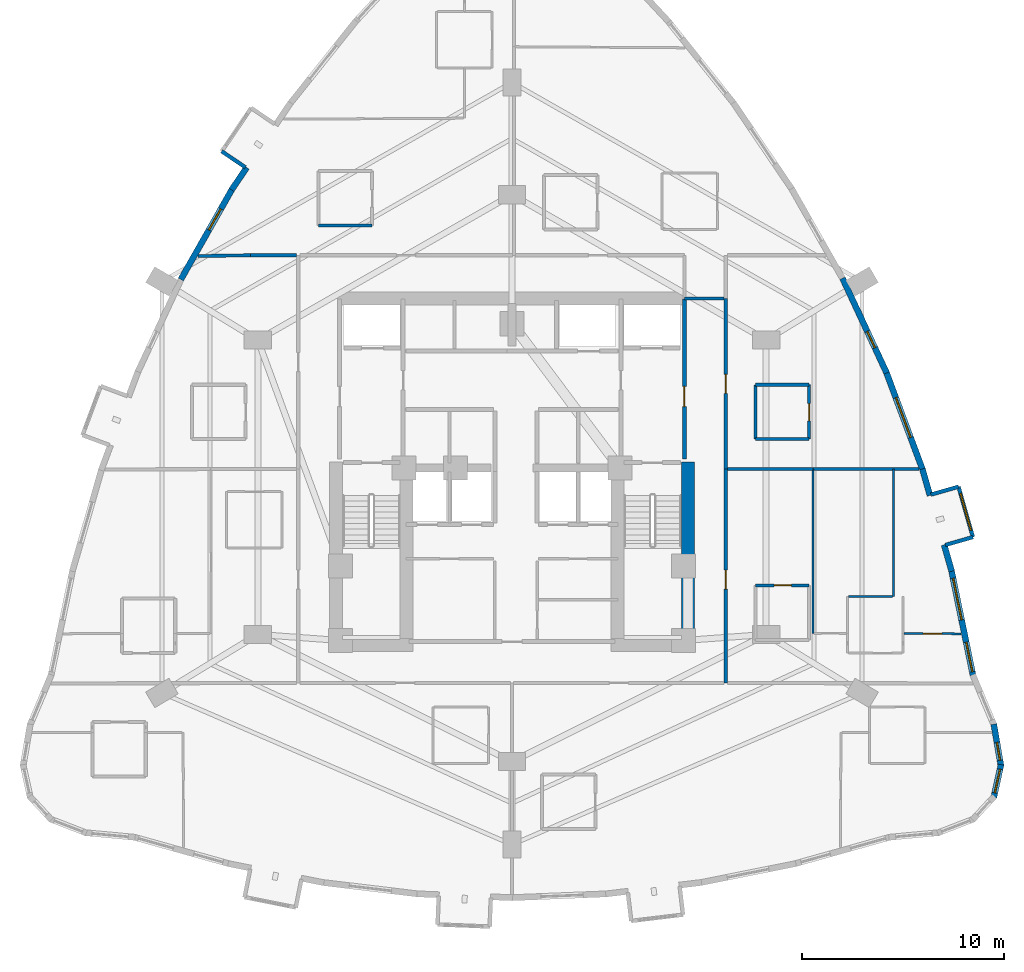
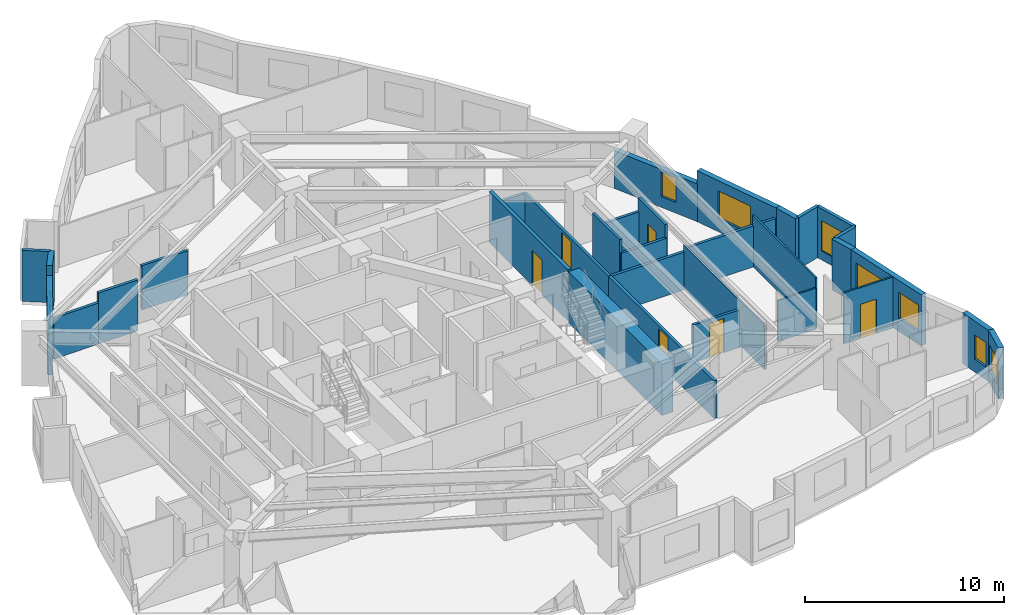
# One storey, part 10 of 13: 32 walls, 8 windows, 6 doors, 14 openings.
"""IFC4 building model written with IfcOpenShell, lengths in metres."""

import ifcopenshell
import ifcopenshell.guid

model = None  # the IFC model being written
_history = None  # IfcOwnerHistory: only IFC2X3 demands one
_inside = {}  # id of a spatial element -> (the spatial element, [elements in it])
_under = {}  # id of a project, library or spatial element -> (it, [spatial elements below it])
_declared = {}  # id of a project -> (the project, [libraries it declares])
_typed = {}  # id of a type object -> (the type object, [elements of that type])
_made_of = {}  # id of a material, layer set ... -> (it, [elements and type objects made of it])


def new_model(schema):
    """Start an empty IFC model of exactly this schema.

    Asked for "IFC4X3", IfcOpenShell would pick the latest addendum, in which some entities
    have other attributes; the version numbers below select the first issue.
    IFC2X3 requires an IfcOwnerHistory on every rooted entity: one is made here for all.
    """
    global model, _history
    if schema == "IFC4X3":
        model = ifcopenshell.file(schema_version=(4, 3, 0, 0))
    else:
        model = ifcopenshell.file(schema=schema)
    _inside.clear()
    _under.clear()
    _declared.clear()
    _typed.clear()
    _made_of.clear()
    _history = None
    if model.schema == "IFC2X3":
        org = make("IfcOrganization", Name="unknown")
        user = make(
            "IfcPersonAndOrganization",
            ThePerson=make("IfcPerson", FamilyName="unknown"),
            TheOrganization=org,
        )
        app = make(
            "IfcApplication",
            ApplicationDeveloper=org,
            Version="unknown",
            ApplicationFullName="unknown",
            ApplicationIdentifier="unknown",
        )
        _history = make(
            "IfcOwnerHistory",
            OwningUser=user,
            OwningApplication=app,
            ChangeAction="ADDED",
            CreationDate=0,
        )
    return model


def make(cls, **values):
    """One entity of the class cls with the attributes given. An attribute that is None is left unset."""
    return model.create_entity(
        cls, **{name: value for name, value in values.items() if value is not None}
    )


def rooted(cls, **values):
    """An entity with a GlobalId (a new one), such as an element, a storey or a relation."""
    return make(cls, GlobalId=ifcopenshell.guid.new(), OwnerHistory=_history, **values)


def si_unit(unit_type, name, prefix=None):
    """IfcSIUnit, for example si_unit("LENGTHUNIT", "METRE", prefix="MILLI")."""
    return make("IfcSIUnit", UnitType=unit_type, Prefix=prefix, Name=name)


def assignment(units):
    """IfcUnitAssignment: the units of a project."""
    return None if units is None else make("IfcUnitAssignment", Units=units)


def point(xyz):
    """IfcCartesianPoint."""
    return None if xyz is None else make("IfcCartesianPoint", Coordinates=xyz)


def direction(xyz):
    """IfcDirection."""
    return None if xyz is None else make("IfcDirection", DirectionRatios=xyz)


def frame(location, z_axis=None, x_axis=None):
    """IfcAxis2Placement3D, a coordinate frame: its origin and axes. An axis left out is left unset."""
    return make(
        "IfcAxis2Placement3D",
        Location=point(location),
        Axis=direction(z_axis),
        RefDirection=direction(x_axis),
    )


def frame_2d(location, x_axis=None):
    """IfcAxis2Placement2D, a coordinate frame in the plane: its origin and x axis."""
    return make(
        "IfcAxis2Placement2D", Location=point(location), RefDirection=direction(x_axis)
    )


def origin():
    """The frame at (0, 0, 0) with its axes left unset."""
    return frame((0.0, 0.0, 0.0))


def place(relative_to, where):
    """IfcLocalPlacement: puts the frame where relative to a parent placement (None: the world)."""
    return make(
        "IfcLocalPlacement", PlacementRelTo=relative_to, RelativePlacement=where
    )


def context(
    kind, dimensions, precision=None, world=None, true_north=None, identifier=None
):
    """IfcGeometricRepresentationContext, for example the 3D "Model" context."""
    return make(
        "IfcGeometricRepresentationContext",
        ContextIdentifier=identifier,
        ContextType=kind,
        CoordinateSpaceDimension=dimensions,
        Precision=precision,
        WorldCoordinateSystem=world,
        TrueNorth=true_north,
    )


def subcontext(parent, identifier, kind, view, scale=None):
    """IfcGeometricRepresentationSubContext, for example "Body" below "Model"."""
    return make(
        "IfcGeometricRepresentationSubContext",
        ContextIdentifier=identifier,
        ContextType=kind,
        ParentContext=parent,
        TargetScale=scale,
        TargetView=view,
    )


def project(units=None, contexts=None):
    """IfcProject with its units and contexts."""
    return rooted(
        "IfcProject",
        Name="project",
        RepresentationContexts=contexts,
        UnitsInContext=assignment(units),
    )


def spatial(cls, under=None, at=None, **own):
    """A site, building, storey or space (cls), placed at a placement, below another one or the project."""
    s = rooted(cls, ObjectPlacement=at, **own)
    if under is not None:
        _under.setdefault(under.id(), (under, []))[1].append(s)
    return s


def profile(cls, at=None, kind="AREA", **sizes):
    """A parametric profile (cls). Its sizes go by their IFC names, for example OverallWidth=200.0."""
    return make(cls, ProfileType=kind, Position=at, **sizes)


def rectangle(**sizes):
    """IfcRectangleProfileDef."""
    return profile("IfcRectangleProfileDef", **sizes)


def extrude(swept, where, along, depth):
    """IfcExtrudedAreaSolid: the profile swept, set in the frame where, extruded along a direction by depth."""
    return make(
        "IfcExtrudedAreaSolid",
        SweptArea=swept,
        Position=where,
        ExtrudedDirection=direction(along),
        Depth=depth,
    )


def shape(context_of_items, identifier, shape_type, items):
    """IfcShapeRepresentation: the items that make up one representation, for example the "Body"."""
    return make(
        "IfcShapeRepresentation",
        ContextOfItems=context_of_items,
        RepresentationIdentifier=identifier,
        RepresentationType=shape_type,
        Items=items,
    )


def material(Name=None, Category=None):
    """IfcMaterial."""
    return make("IfcMaterial", Name=Name, Category=Category)


def layer(
    of_material, thickness, ventilated=None, Name=None, Category=None, Priority=None
):
    """IfcMaterialLayer: one layer of a wall or slab, of a material (None: an air gap)."""
    return make(
        "IfcMaterialLayer",
        Material=of_material,
        LayerThickness=thickness,
        IsVentilated=ventilated,
        Name=Name,
        Category=Category,
        Priority=Priority,
    )


def layer_set(layers, Name=None):
    """IfcMaterialLayerSet."""
    return make("IfcMaterialLayerSet", MaterialLayers=layers, LayerSetName=Name)


def made_of(thing, what):
    """Note that an element or type object is made of a material, layer set ...; save() writes the relation."""
    if what is not None:
        _made_of.setdefault(what.id(), (what, []))[1].append(thing)
    return thing


def type_object(cls, material=None, **own):
    """A type object (cls), such as IfcWallType, which elements share."""
    return made_of(rooted(cls, **own), material)


def element(
    cls,
    number,
    at=None,
    inside=None,
    cuts=None,
    type_object=None,
    material=None,
    context=None,
    identifier="Body",
    shape_type=None,
    held_by="IfcProductDefinitionShape",
    body=None,
    shapes=None,
    **own,
):
    """One element of the class cls, such as IfcWall. Its Tag is "e" and its number.

    at: its placement. inside: the storey or other place that contains it. cuts: it is an
    opening in that element (IfcRelVoidsElement). A single representation is given by context,
    identifier, shape_type and body (its items); several are given by shapes. held_by: the class
    of the entity that holds the representations. save() writes the other relations.
    """
    e = rooted(cls, Tag="e%d" % number, ObjectPlacement=at, **own)
    if body is not None:
        shapes = [shape(context, identifier, shape_type, body)]
    if shapes is not None:
        e.Representation = make(held_by, Representations=shapes)
    if inside is not None:
        _inside.setdefault(inside.id(), (inside, []))[1].append(e)
    if cuts is not None:
        rooted(
            "IfcRelVoidsElement", RelatingBuildingElement=cuts, RelatedOpeningElement=e
        )
    if type_object is not None:
        _typed.setdefault(type_object.id(), (type_object, []))[1].append(e)
    return made_of(e, material)


def fill(opening, filler):
    """IfcRelFillsElement: the door or window that sits in an opening."""
    return rooted(
        "IfcRelFillsElement",
        RelatingOpeningElement=opening,
        RelatedBuildingElement=filler,
    )


def aggregate(whole, parts):
    """IfcRelAggregates: a whole, such as a stair, and the parts it consists of."""
    return rooted("IfcRelAggregates", RelatingObject=whole, RelatedObjects=parts)


def save(model, path):
    """Write the relations noted so far, then the file.

    IfcRelAggregates (storeys below a building ...), IfcRelContainedInSpatialStructure (elements
    in a storey), IfcRelDefinesByType, IfcRelAssociatesMaterial and IfcRelDeclares: one each for
    every whole, place, type object, material and project.
    """
    for whole, parts in _under.values():
        aggregate(whole, parts)
    for where, things in _inside.values():
        rooted(
            "IfcRelContainedInSpatialStructure",
            RelatedElements=things,
            RelatingStructure=where,
        )
    for kind, things in _typed.values():
        rooted("IfcRelDefinesByType", RelatedObjects=things, RelatingType=kind)
    for what, things in _made_of.values():
        rooted("IfcRelAssociatesMaterial", RelatedObjects=things, RelatingMaterial=what)
    for by, libraries in _declared.values():
        rooted("IfcRelDeclares", RelatingContext=by, RelatedDefinitions=libraries)
    model.write(path)


model = new_model("IFC4")

# Units and contexts
model_context = context("Model", 3, precision=1e-05, world=origin(), true_north=direction((0.0, 1.0)))
body_context = subcontext(model_context, "Body", "Model", "MODEL_VIEW")
ifc_project = project(units=[si_unit("LENGTHUNIT", "METRE"), si_unit("AREAUNIT", "SQUARE_METRE"), si_unit("VOLUMEUNIT", "CUBIC_METRE"), si_unit("PLANEANGLEUNIT", "RADIAN"), si_unit("MASSUNIT", "GRAM", prefix="KILO")], contexts=[model_context])

# Site, building, storey
site_placement = place(None, origin())
site = spatial("IfcSite", under=ifc_project, at=site_placement, CompositionType="ELEMENT")
building_placement = place(site_placement, origin())
building = spatial("IfcBuilding", under=site, at=building_placement, Name="Miruveldt Soraemaru", CompositionType="ELEMENT")
storey_placement = place(building_placement, frame((0.0, 0.0, 73.39990234375)))
storey = spatial("IfcBuildingStorey", under=building, at=storey_placement, Name="L20", CompositionType="ELEMENT", Elevation=73.39990234375)

# Walls
ifc_material_1 = material(Name="White powder-coated aluminium EN AW-6060 T6", Category="aluminium")
ifc_layer_1 = layer(ifc_material_1, 0.18994140625, Name="White powder-coated aluminium EN AW-6060 T6", Category="aluminium")
ifc_layer_set_1 = layer_set([ifc_layer_1], Name="White powder-coated aluminium EN AW-6060 T6")
wall_type_1 = type_object("IfcWallType", Name="WALL-BAY-ALU190", PredefinedType="SOLIDWALL", material=ifc_layer_set_1)
for number, where, z_axis, x_axis, name in (
    (1, (29.60595703125, 59.754638671875, 0.0), (0.0, 0.0, 1.0), (0.82794178844, -0.560814046681, 0.0), "L20 Bay Window Side Cheek 1R"),
    (2, (65.483642578125, 40.23486328125, 0.0), (0.0, 0.0, 1.0), (0.961439844578, 0.275015318223, 0.0), "L20 Bay Window Side Cheek 6L"),
    (3, (66.138671875, 43.12646484375, 0.0), (0.0, 0.0, 1.0), (-0.961439844578, -0.275015318223, 0.0), "L20 Bay Window Side Cheek 6R"),
):
    element("IfcWall", number, at=place(storey_placement, frame(where, z_axis=z_axis, x_axis=x_axis)), inside=storey, type_object=wall_type_1, Name=name, PredefinedType="SOLIDWALL", context=body_context, shape_type="SweptSolid", body=[
        extrude(rectangle(XDim=1.4248046875, YDim=0.18994140625, at=frame_2d((0.71240234375, 0.0))), origin(), (0.0, 0.0, 1.0), 3.125),
    ])

# Wall, opening, window
wall_1_placement = place(storey_placement, frame((66.853515625, 40.626708984375, 0.0), z_axis=(0.0, 0.0, 1.0), x_axis=(-0.274944358644, 0.961460139397, 0.0)))
wall_1 = element("IfcWall", 4, at=wall_1_placement, inside=storey, type_object=wall_type_1, Name="L20 Bay Window Front Frame 6", PredefinedType="SOLIDWALL", context=body_context, shape_type="SweptSolid", body=[
    extrude(rectangle(XDim=2.599853515625, YDim=0.18994140625, at=frame_2d((1.2998046875, 0.0))), origin(), (0.0, 0.0, 1.0), 3.125),
])
opening_1_placement = place(wall_1_placement, frame((0.35009765625, 0.0, 0.550048828125)))
opening_1 = element("IfcOpeningElement", 5, at=opening_1_placement, cuts=wall_1, Name="Opening WN-6", PredefinedType="OPENING", context=body_context, shape_type="SweptSolid", body=[
    extrude(rectangle(XDim=1.89990234375, YDim=1.85009765625, at=frame_2d((0.949951171875, 0.925048828125))), frame((0.0, 0.10498046875, 0.0), z_axis=(0.0, -1.0, 0.0), x_axis=(1.0, 0.0, 0.0)), (0.0, 0.0, 1.0), 0.2099609375),
])
ifc_material_2 = material(Name="Triple low-e insulated glazing", Category="glass")
window_type_1 = type_object("IfcWindowType", Name="WIN-BAYW-1900x1850", PartitioningType="SINGLE_PANEL", PredefinedType="WINDOW", material=ifc_material_2)
window_1_placement = place(opening_1_placement, origin())
window_1 = element("IfcWindow", 6, at=window_1_placement, inside=storey, type_object=window_type_1, Name="L20 Projecting Bay Window 6", OverallHeight=1.85009765625, OverallWidth=1.89990234375, PartitioningType="SINGLE_PANEL", PredefinedType="WINDOW", context=body_context, shape_type="SweptSolid", body=[
    extrude(rectangle(XDim=1.89990234375, YDim=1.85009765625, at=frame_2d((0.949951171875, 0.925048828125))), frame((0.0, 0.030029296875, 0.0), z_axis=(0.0, -1.0, 0.0), x_axis=(1.0, 0.0, 0.0)), (0.0, 0.0, 1.0), 0.06005859375),
])
fill(opening_1, window_1)

# Walls
ifc_material_3 = material(Name="Concrete C80/95 (80 MPa)", Category="concrete")
ifc_layer_2 = layer(ifc_material_3, 0.64990234375, Name="Concrete C80/95 (80 MPa)", Category="concrete")
ifc_layer_set_2 = layer_set([ifc_layer_2], Name="Concrete C80/95 (80 MPa)")
wall_type_2 = type_object("IfcWallType", Name="WALL-CW-650", PredefinedType="SHEAR", material=ifc_layer_set_2)
wall_2_placement = place(storey_placement, frame((52.72509765625, 34.949951171875, 0.0), z_axis=(0.0, 0.0, 1.0), x_axis=(0.0, 1.0, 0.0)))
element("IfcWall", 7, at=wall_2_placement, inside=storey, type_object=wall_type_2, Name="L20 Central Core Shear Wall E1", PredefinedType="SHEAR", context=body_context, shape_type="SweptSolid", body=[
    extrude(rectangle(XDim=9.400146484375, YDim=0.64990234375, at=frame_2d((4.7001953125, 0.0))), origin(), (0.0, 0.0, 1.0), 3.125),
])
ifc_material_4 = material(Name="Precast concrete C45/55 (45 MPa)", Category="concrete")
ifc_layer_3 = layer(ifc_material_4, 0.300048828125, Name="Precast concrete C45/55 (45 MPa)", Category="concrete")
ifc_layer_set_3 = layer_set([ifc_layer_3], Name="Precast concrete C45/55 (45 MPa)")
wall_type_3 = type_object("IfcWallType", Name="WALL-EXT-PC300", PredefinedType="SOLIDWALL", material=ifc_layer_set_3)
wall_3_placement = place(storey_placement, frame((30.847900390625, 58.949462890625, 0.0), z_axis=(0.0, 0.0, 1.0), x_axis=(-0.56075525003, -0.827981611852, 0.0)))
element("IfcWall", 8, at=wall_3_placement, inside=storey, type_object=wall_type_3, Name="L20 Precast Pier Wall 9B", PredefinedType="SOLIDWALL", context=body_context, shape_type="SweptSolid", body=[
    extrude(rectangle(XDim=1.336669921875, YDim=0.300048828125, at=frame_2d((0.66845703125, 0.0))), origin(), (0.0, 0.0, 1.0), 3.125),
])

# Wall, opening, window
wall_4_placement = place(storey_placement, frame((30.13525390625, 57.902099609375, 0.0), z_axis=(0.0, 0.0, 1.0), x_axis=(-0.493385870501, -0.869810544193, 0.0)))
wall_4 = element("IfcWall", 9, at=wall_4_placement, inside=storey, type_object=wall_type_3, Name="L20 Precast Concrete Facade Wall 10", PredefinedType="SOLIDWALL", context=body_context, shape_type="SweptSolid", body=[
    extrude(rectangle(XDim=5.180908203125, YDim=0.300048828125, at=frame_2d((2.59033203125, 0.0))), origin(), (0.0, 0.0, 1.0), 2.51318359375),
])
opening_2_placement = place(wall_4_placement, frame((1.155029296875, 0.0, 0.780029296875)))
opening_2 = element("IfcOpeningElement", 10, at=opening_2_placement, cuts=wall_4, Name="Opening WN-4", PredefinedType="OPENING", context=body_context, shape_type="SweptSolid", body=[
    extrude(rectangle(XDim=1.199951171875, YDim=1.550048828125, at=frame_2d((0.60009765625, 0.77490234375))), frame((0.0, 0.16015625, 0.0), z_axis=(0.0, -1.0, 0.0), x_axis=(1.0, 0.0, 0.0)), (0.0, 0.0, 1.0), 0.320068359375),
])
window_type_2 = type_object("IfcWindowType", Name="WIN-PUNCH-1200x1550", PartitioningType="SINGLE_PANEL", PredefinedType="WINDOW", material=ifc_material_2)
window_2_placement = place(opening_2_placement, origin())
window_2 = element("IfcWindow", 11, at=window_2_placement, inside=storey, type_object=window_type_2, Name="L20 Punched Triple-Glazed Window 10.1", OverallHeight=1.550048828125, OverallWidth=1.199951171875, PartitioningType="SINGLE_PANEL", PredefinedType="WINDOW", context=body_context, shape_type="SweptSolid", body=[
    extrude(rectangle(XDim=1.199951171875, YDim=1.550048828125, at=frame_2d((0.60009765625, 0.77490234375))), frame((0.0, 0.030029296875, 0.0), z_axis=(0.0, -1.0, 0.0), x_axis=(1.0, 0.0, 0.0)), (0.0, 0.0, 1.0), 0.06005859375),
])
fill(opening_2, window_2)

wall_5_placement = place(storey_placement, frame((67.88525390625, 27.7158203125, 0.0), z_axis=(0.0, 0.0, 1.0), x_axis=(0.215768638569, 0.976444516913, 0.0)))
wall_5 = element("IfcWall", 12, at=wall_5_placement, inside=storey, type_object=wall_type_3, Name="L20 Precast Concrete Facade Wall 32", PredefinedType="SOLIDWALL", context=body_context, shape_type="SweptSolid", body=[
    extrude(rectangle(XDim=1.6689453125, YDim=0.300048828125, at=frame_2d((0.83447265625, 0.0))), origin(), (0.0, 0.0, 1.0), 3.125),
])
opening_3_placement = place(wall_5_placement, frame((0.235107421875, 0.0, 0.780029296875)))
opening_3 = element("IfcOpeningElement", 13, at=opening_3_placement, cuts=wall_5, Name="Opening WN-4", PredefinedType="OPENING", context=body_context, shape_type="SweptSolid", body=[
    extrude(rectangle(XDim=1.199951171875, YDim=1.550048828125, at=frame_2d((0.60009765625, 0.77490234375))), frame((0.0, 0.16015625, 0.0), z_axis=(0.0, -1.0, 0.0), x_axis=(1.0, 0.0, 0.0)), (0.0, 0.0, 1.0), 0.320068359375),
])
window_3_placement = place(opening_3_placement, origin())
window_3 = element("IfcWindow", 14, at=window_3_placement, inside=storey, type_object=window_type_2, Name="L20 Punched Triple-Glazed Window 32.1", OverallHeight=1.550048828125, OverallWidth=1.199951171875, PartitioningType="SINGLE_PANEL", PredefinedType="WINDOW", context=body_context, shape_type="SweptSolid", body=[
    extrude(rectangle(XDim=1.199951171875, YDim=1.550048828125, at=frame_2d((0.60009765625, 0.77490234375))), frame((0.0, 0.030029296875, 0.0), z_axis=(0.0, -1.0, 0.0), x_axis=(1.0, 0.0, 0.0)), (0.0, 0.0, 1.0), 0.06005859375),
])
fill(opening_3, window_3)

wall_6_placement = place(storey_placement, frame((68.24365234375, 29.276611328125, 0.0), z_axis=(0.0, 0.0, 1.0), x_axis=(-0.169320859901, 0.98556098056, 0.0)))
wall_6 = element("IfcWall", 15, at=wall_6_placement, inside=storey, type_object=wall_type_3, Name="L20 Precast Concrete Facade Wall 33", PredefinedType="SOLIDWALL", context=body_context, shape_type="SweptSolid", body=[
    extrude(rectangle(XDim=2.106689453125, YDim=0.300048828125, at=frame_2d((1.05322265625, 0.0))), origin(), (0.0, 0.0, 1.0), 3.125),
])
opening_4_placement = place(wall_6_placement, frame((0.285888671875, 0.0, 0.780029296875)))
opening_4 = element("IfcOpeningElement", 16, at=opening_4_placement, cuts=wall_6, Name="Opening WN-7", PredefinedType="OPENING", context=body_context, shape_type="SweptSolid", body=[
    extrude(rectangle(XDim=0.89990234375, YDim=1.5, at=frame_2d((0.449951171875, 0.75))), frame((0.0, 0.16015625, 0.0), z_axis=(0.0, -1.0, 0.0), x_axis=(1.0, 0.0, 0.0)), (0.0, 0.0, 1.0), 0.320068359375),
])
window_type_3 = type_object("IfcWindowType", Name="WIN-PUNCH-900x1500", PartitioningType="SINGLE_PANEL", PredefinedType="WINDOW", material=ifc_material_2)
window_4_placement = place(opening_4_placement, origin())
window_4 = element("IfcWindow", 17, at=window_4_placement, inside=storey, type_object=window_type_3, Name="L20 Punched Triple-Glazed Window 33.1", OverallHeight=1.5, OverallWidth=0.89990234375, PartitioningType="SINGLE_PANEL", PredefinedType="WINDOW", context=body_context, shape_type="SweptSolid", body=[
    extrude(rectangle(XDim=0.89990234375, YDim=1.5, at=frame_2d((0.449951171875, 0.75))), frame((0.0, 0.030029296875, 0.0), z_axis=(0.0, -1.0, 0.0), x_axis=(1.0, 0.0, 0.0)), (0.0, 0.0, 1.0), 0.06005859375),
])
fill(opening_4, window_4)

# Wall, openings, windows
wall_7_placement = place(storey_placement, frame((66.865234375, 33.737060546875, 0.0), z_axis=(0.0, 0.0, 1.0), x_axis=(-0.201547797841, 0.979478680312, 0.0)))
wall_7 = element("IfcWall", 18, at=wall_7_placement, inside=storey, type_object=wall_type_3, Name="L20 Precast Concrete Facade Wall 35", PredefinedType="SOLIDWALL", context=body_context, shape_type="SweptSolid", body=[
    extrude(rectangle(XDim=5.37353515625, YDim=0.300048828125, at=frame_2d((2.686767578125, 0.0))), origin(), (0.0, 0.0, 1.0), 3.125),
])
opening_5_placement = place(wall_7_placement, frame((0.217041015625, 0.0, 0.800048828125)))
opening_5 = element("IfcOpeningElement", 19, at=opening_5_placement, cuts=wall_7, Name="Opening WN-3", PredefinedType="OPENING", context=body_context, shape_type="SweptSolid", body=[
    extrude(rectangle(XDim=1.5, YDim=1.60009765625, at=frame_2d((0.75, 0.800048828125))), frame((0.0, 0.16015625, 0.0), z_axis=(0.0, -1.0, 0.0), x_axis=(1.0, 0.0, 0.0)), (0.0, 0.0, 1.0), 0.320068359375),
])
opening_6_placement = place(wall_7_placement, frame((2.843017578125, 0.0, 0.800048828125)))
opening_6 = element("IfcOpeningElement", 20, at=opening_6_placement, cuts=wall_7, Name="Opening WN-1", PredefinedType="OPENING", context=body_context, shape_type="SweptSolid", body=[
    extrude(rectangle(XDim=2.10009765625, YDim=1.699951171875, at=frame_2d((1.050048828125, 0.85009765625))), frame((0.0, 0.16015625, 0.0), z_axis=(0.0, -1.0, 0.0), x_axis=(1.0, 0.0, 0.0)), (0.0, 0.0, 1.0), 0.320068359375),
])
window_type_4 = type_object("IfcWindowType", Name="WIN-PUNCH-1500x1600", PartitioningType="SINGLE_PANEL", PredefinedType="WINDOW", material=ifc_material_2)
window_5_placement = place(opening_5_placement, origin())
window_5 = element("IfcWindow", 21, at=window_5_placement, inside=storey, type_object=window_type_4, Name="L20 Punched Triple-Glazed Window 35.1", OverallHeight=1.60009765625, OverallWidth=1.5, PartitioningType="SINGLE_PANEL", PredefinedType="WINDOW", context=body_context, shape_type="SweptSolid", body=[
    extrude(rectangle(XDim=1.5, YDim=1.60009765625, at=frame_2d((0.75, 0.800048828125))), frame((0.0, 0.030029296875, 0.0), z_axis=(0.0, -1.0, 0.0), x_axis=(1.0, 0.0, 0.0)), (0.0, 0.0, 1.0), 0.06005859375),
])
fill(opening_5, window_5)
window_type_5 = type_object("IfcWindowType", Name="WIN-PUNCH-2100x1700", PartitioningType="SINGLE_PANEL", PredefinedType="WINDOW", material=ifc_material_2)
window_6_placement = place(opening_6_placement, origin())
window_6 = element("IfcWindow", 22, at=window_6_placement, inside=storey, type_object=window_type_5, Name="L20 Punched Triple-Glazed Window 35.2", OverallHeight=1.699951171875, OverallWidth=2.10009765625, PartitioningType="SINGLE_PANEL", PredefinedType="WINDOW", context=body_context, shape_type="SweptSolid", body=[
    extrude(rectangle(XDim=2.10009765625, YDim=1.699951171875, at=frame_2d((1.050048828125, 0.85009765625))), frame((0.0, 0.030029296875, 0.0), z_axis=(0.0, -1.0, 0.0), x_axis=(1.0, 0.0, 0.0)), (0.0, 0.0, 1.0), 0.06005859375),
])
fill(opening_6, window_6)

# Walls
wall_8_placement = place(storey_placement, frame((65.798828125, 38.93212890625, 0.0), z_axis=(0.0, 0.0, 1.0), x_axis=(-0.27479178242, 0.961503757826, 0.0)))
element("IfcWall", 23, at=wall_8_placement, inside=storey, type_object=wall_type_3, Name="L20 Precast Pier Wall 36A", PredefinedType="SOLIDWALL", context=body_context, shape_type="SweptSolid", body=[
    extrude(rectangle(XDim=1.369140625, YDim=0.300048828125, at=frame_2d((0.6845703125, 0.0))), origin(), (0.0, 0.0, 1.0), 3.125),
])
wall_9_placement = place(storey_placement, frame((64.72412109375, 42.690673828125, 0.0), z_axis=(0.0, 0.0, 1.0), x_axis=(-0.275003771692, 0.961443147334, 0.0)))
element("IfcWall", 24, at=wall_9_placement, inside=storey, type_object=wall_type_3, Name="L20 Precast Pier Wall 36B", PredefinedType="SOLIDWALL", context=body_context, shape_type="SweptSolid", body=[
    extrude(rectangle(XDim=1.368896484375, YDim=0.300048828125, at=frame_2d((0.6845703125, 0.0))), origin(), (0.0, 0.0, 1.0), 3.125),
])

# Wall, opening, window
wall_10_placement = place(storey_placement, frame((64.369384765625, 43.9404296875, 0.0), z_axis=(0.0, 0.0, 1.0), x_axis=(-0.349023551545, 0.937113952765, 0.0)))
wall_10 = element("IfcWall", 25, at=wall_10_placement, inside=storey, type_object=wall_type_3, Name="L20 Precast Concrete Facade Wall 37", PredefinedType="SOLIDWALL", context=body_context, shape_type="SweptSolid", body=[
    extrude(rectangle(XDim=5.21337890625, YDim=0.300048828125, at=frame_2d((2.606689453125, 0.0))), origin(), (0.0, 0.0, 1.0), 3.125),
])
opening_7_placement = place(wall_10_placement, frame((1.739013671875, 0.0, 0.800048828125)))
opening_7 = element("IfcOpeningElement", 26, at=opening_7_placement, cuts=wall_10, Name="Opening WN-1", PredefinedType="OPENING", context=body_context, shape_type="SweptSolid", body=[
    extrude(rectangle(XDim=2.10009765625, YDim=1.699951171875, at=frame_2d((1.050048828125, 0.85009765625))), frame((0.0, 0.16015625, 0.0), z_axis=(0.0, -1.0, 0.0), x_axis=(1.0, 0.0, 0.0)), (0.0, 0.0, 1.0), 0.320068359375),
])
window_7_placement = place(opening_7_placement, origin())
window_7 = element("IfcWindow", 27, at=window_7_placement, inside=storey, type_object=window_type_5, Name="L20 Punched Triple-Glazed Window 37.1", OverallHeight=1.699951171875, OverallWidth=2.10009765625, PartitioningType="SINGLE_PANEL", PredefinedType="WINDOW", context=body_context, shape_type="SweptSolid", body=[
    extrude(rectangle(XDim=2.10009765625, YDim=1.699951171875, at=frame_2d((1.050048828125, 0.85009765625))), frame((0.0, 0.030029296875, 0.0), z_axis=(0.0, -1.0, 0.0), x_axis=(1.0, 0.0, 0.0)), (0.0, 0.0, 1.0), 0.06005859375),
])
fill(opening_7, window_7)

wall_11_placement = place(storey_placement, frame((62.57666015625, 48.761474609375, 0.0), z_axis=(0.0, 0.0, 1.0), x_axis=(-0.422273967053, 0.906468254684, 0.0)))
wall_11 = element("IfcWall", 28, at=wall_11_placement, inside=storey, type_object=wall_type_3, Name="L20 Precast Concrete Facade Wall 38", PredefinedType="SOLIDWALL", context=body_context, shape_type="SweptSolid", body=[
    extrude(rectangle(XDim=5.180908203125, YDim=0.300048828125, at=frame_2d((2.59033203125, 0.0))), origin(), (0.0, 0.0, 1.0), 2.31298828125),
])
opening_8_placement = place(wall_11_placement, frame((1.3798828125, 0.0, 0.653076171875)))
opening_8 = element("IfcOpeningElement", 29, at=opening_8_placement, cuts=wall_11, Name="Opening WN-7", PredefinedType="OPENING", context=body_context, shape_type="SweptSolid", body=[
    extrude(rectangle(XDim=0.89990234375, YDim=1.5, at=frame_2d((0.449951171875, 0.75))), frame((0.0, 0.16015625, 0.0), z_axis=(0.0, -1.0, 0.0), x_axis=(1.0, 0.0, 0.0)), (0.0, 0.0, 1.0), 0.320068359375),
])
window_8_placement = place(opening_8_placement, origin())
window_8 = element("IfcWindow", 30, at=window_8_placement, inside=storey, type_object=window_type_3, Name="L20 Punched Triple-Glazed Window 38.1", OverallHeight=1.5, OverallWidth=0.89990234375, PartitioningType="SINGLE_PANEL", PredefinedType="WINDOW", context=body_context, shape_type="SweptSolid", body=[
    extrude(rectangle(XDim=0.89990234375, YDim=1.5, at=frame_2d((0.449951171875, 0.75))), frame((0.0, 0.030029296875, 0.0), z_axis=(0.0, -1.0, 0.0), x_axis=(1.0, 0.0, 0.0)), (0.0, 0.0, 1.0), 0.06005859375),
])
fill(opening_8, window_8)

# Wall, opening, door
ifc_material_5 = material(Name="Gypsum plasterboard lining", Category="gypsum")
ifc_layer_4 = layer(ifc_material_5, 0.10009765625, Name="Gypsum plasterboard lining", Category="gypsum")
ifc_layer_set_4 = layer_set([ifc_layer_4], Name="Gypsum plasterboard lining")
wall_type_4 = type_object("IfcWallType", Name="WALL-INT-P100", PredefinedType="PARTITIONING", material=ifc_layer_set_4)
wall_12_placement = place(storey_placement, frame((66.26611328125, 35.8330078125, 0.0), z_axis=(0.0, 0.0, 1.0), x_axis=(-0.999981846253, 0.006025542673, 0.0)))
wall_12 = element("IfcWall", 31, at=wall_12_placement, inside=storey, type_object=wall_type_4, Name="L20 Partition Wall 69", PredefinedType="PARTITIONING", context=body_context, shape_type="SweptSolid", body=[
    extrude(rectangle(XDim=2.836181640625, YDim=0.10009765625, at=frame_2d((1.41796875, 0.0))), origin(), (0.0, 0.0, 1.0), 3.125),
])
opening_9_placement = place(wall_12_placement, frame((0.9580078125, 0.0, 0.0)))
opening_9 = element("IfcOpeningElement", 32, at=opening_9_placement, cuts=wall_12, Name="Opening D3A", PredefinedType="OPENING", context=body_context, shape_type="SweptSolid", body=[
    extrude(rectangle(XDim=0.919921875, YDim=2.10009765625, at=frame_2d((0.4599609375, 1.050048828125))), frame((0.0, 0.06005859375, 0.0), z_axis=(0.0, -1.0, 0.0), x_axis=(1.0, 0.0, 0.0)), (0.0, 0.0, 1.0), 0.1201171875),
])
ifc_material_6 = material(Name="Anodised aluminium EN AW-6063 T6", Category="aluminium")
door_type_1 = type_object("IfcDoorType", Name="DOOR-INT-920", OperationType="NOTDEFINED", PredefinedType="DOOR", material=ifc_material_6)
door_1_placement = place(opening_9_placement, origin())
door_1 = element("IfcDoor", 33, at=door_1_placement, inside=storey, type_object=door_type_1, Name="L20 Unit 2005 EXT Door", OperationType="SINGLE_SWING_LEFT", OverallHeight=2.10009765625, OverallWidth=0.919921875, PredefinedType="DOOR", context=body_context, shape_type="SweptSolid", body=[
    extrude(rectangle(XDim=0.919921875, YDim=2.10009765625, at=frame_2d((0.4599609375, 1.050048828125))), frame((0.0, 0.02490234375, 0.0), z_axis=(0.0, -1.0, 0.0), x_axis=(1.0, 0.0, 0.0)), (0.0, 0.0, 1.0), 0.050048828125),
])
fill(opening_9, door_1)

# Walls
wall_13_placement = place(storey_placement, frame((58.9150390625, 35.85009765625, 0.0), z_axis=(0.0, 0.0, 1.0), x_axis=(0.0, 1.0, 0.0)))
element("IfcWall", 34, at=wall_13_placement, inside=storey, type_object=wall_type_4, Name="L20 Partition Wall 109", PredefinedType="PARTITIONING", context=body_context, shape_type="SweptSolid", body=[
    extrude(rectangle(XDim=8.14990234375, YDim=0.10009765625, at=frame_2d((4.074951171875, 0.0))), origin(), (0.0, 0.0, 1.0), 2.713134765625),
])
wall_14_placement = place(storey_placement, frame((62.9208984375, 37.679931640625, 0.0), z_axis=(0.0, 0.0, 1.0), x_axis=(0.0, 1.0, 0.0)))
element("IfcWall", 35, at=wall_14_placement, inside=storey, type_object=wall_type_4, Name="L20 Partition Wall 76", PredefinedType="PARTITIONING", context=body_context, shape_type="SweptSolid", body=[
    extrude(rectangle(XDim=6.320068359375, YDim=0.10009765625, at=frame_2d((3.16015625, 0.0))), origin(), (0.0, 0.0, 1.0), 3.125),
])
wall_15_placement = place(storey_placement, frame((62.87109375, 37.679931640625, 0.0), z_axis=(0.0, 0.0, 1.0), x_axis=(-1.0, 0.0, 0.0)))
element("IfcWall", 36, at=wall_15_placement, inside=storey, type_object=wall_type_4, Name="L20 Partition Wall 72", PredefinedType="PARTITIONING", context=body_context, shape_type="SweptSolid", body=[
    extrude(rectangle(XDim=2.191162109375, YDim=0.10009765625, at=frame_2d((1.095703125, 0.0))), origin(), (0.0, 0.0, 1.0), 2.51318359375),
])

# Wall, opening, door
ifc_layer_5 = layer(ifc_material_5, 0.14990234375, Name="Gypsum plasterboard lining", Category="gypsum")
ifc_layer_set_5 = layer_set([ifc_layer_5], Name="Gypsum plasterboard lining")
wall_type_5 = type_object("IfcWallType", Name="WALL-INT-PLUMB", PredefinedType="PLUMBINGWALL", material=ifc_layer_set_5)
wall_16_placement = place(storey_placement, frame((58.72998046875, 45.47998046875, 0.0), z_axis=(0.0, 0.0, 1.0), x_axis=(0.0, 1.0, 0.0)))
wall_16 = element("IfcWall", 37, at=wall_16_placement, inside=storey, type_object=wall_type_5, Name="L20 Partition Wall 78", PredefinedType="PLUMBINGWALL", context=body_context, shape_type="SweptSolid", body=[
    extrude(rectangle(XDim=2.699951171875, YDim=0.14990234375, at=frame_2d((1.35009765625, 0.0))), origin(), (0.0, 0.0, 1.0), 3.125),
])
opening_10_placement = place(wall_16_placement, frame((0.909912109375, 0.0, 0.0)))
opening_10 = element("IfcOpeningElement", 38, at=opening_10_placement, cuts=wall_16, Name="Opening FD3", PredefinedType="OPENING", context=body_context, shape_type="SweptSolid", body=[
    extrude(rectangle(XDim=0.85009765625, YDim=2.10009765625, at=frame_2d((0.425048828125, 1.050048828125))), frame((0.0, 0.0849609375, 0.0), z_axis=(0.0, -1.0, 0.0), x_axis=(1.0, 0.0, 0.0)), (0.0, 0.0, 1.0), 0.169921875),
])
door_type_2 = type_object("IfcDoorType", Name="DOOR-FD3-850", OperationType="NOTDEFINED", PredefinedType="DOOR", material=ifc_material_6)
door_2_placement = place(opening_10_placement, origin())
door_2 = element("IfcDoor", 39, at=door_2_placement, inside=storey, type_object=door_type_2, Name="L20 Unit CL06 BTH Door", OperationType="SINGLE_SWING_LEFT", OverallHeight=2.10009765625, OverallWidth=0.85009765625, PredefinedType="DOOR", context=body_context, shape_type="SweptSolid", body=[
    extrude(rectangle(XDim=0.85009765625, YDim=2.10009765625, at=frame_2d((0.425048828125, 1.050048828125))), frame((0.0, 0.02490234375, 0.0), z_axis=(0.0, -1.0, 0.0), x_axis=(1.0, 0.0, 0.0)), (0.0, 0.0, 1.0), 0.050048828125),
])
fill(opening_10, door_2)

wall_17_placement = place(storey_placement, frame((58.72998046875, 38.22998046875, 0.0), z_axis=(0.0, 0.0, 1.0), x_axis=(-1.0, 0.0, 0.0)))
wall_17 = element("IfcWall", 40, at=wall_17_placement, inside=storey, type_object=wall_type_5, Name="L20 Partition Wall 62", PredefinedType="PLUMBINGWALL", context=body_context, shape_type="SweptSolid", body=[
    extrude(rectangle(XDim=2.64990234375, YDim=0.14990234375, at=frame_2d((1.324951171875, 0.0))), origin(), (0.0, 0.0, 1.0), 2.31298828125),
])
opening_11_placement = place(wall_17_placement, frame((0.885009765625, 0.0, 0.0)))
opening_11 = element("IfcOpeningElement", 41, at=opening_11_placement, cuts=wall_17, Name="Opening FD3", PredefinedType="OPENING", context=body_context, shape_type="SweptSolid", body=[
    extrude(rectangle(XDim=0.85009765625, YDim=2.10009765625, at=frame_2d((0.425048828125, 1.050048828125))), frame((0.0, 0.0849609375, 0.0), z_axis=(0.0, -1.0, 0.0), x_axis=(1.0, 0.0, 0.0)), (0.0, 0.0, 1.0), 0.169921875),
])
door_3_placement = place(opening_11_placement, origin())
door_3 = element("IfcDoor", 42, at=door_3_placement, inside=storey, type_object=door_type_2, Name="L20 Unit 2005 BTH Door", OperationType="SINGLE_SWING_RIGHT", OverallHeight=2.10009765625, OverallWidth=0.85009765625, PredefinedType="DOOR", context=body_context, shape_type="SweptSolid", body=[
    extrude(rectangle(XDim=0.85009765625, YDim=2.10009765625, at=frame_2d((0.425048828125, 1.050048828125))), frame((0.0, 0.02490234375, 0.0), z_axis=(0.0, -1.0, 0.0), x_axis=(1.0, 0.0, 0.0)), (0.0, 0.0, 1.0), 0.050048828125),
])
fill(opening_11, door_3)

# Walls
wall_18_placement = place(storey_placement, frame((56.080078125, 48.179931640625, 0.0), z_axis=(0.0, 0.0, 1.0), x_axis=(0.0, -1.0, 0.0)))
element("IfcWall", 43, at=wall_18_placement, inside=storey, type_object=wall_type_5, Name="L20 Partition Wall 80", PredefinedType="PLUMBINGWALL", context=body_context, shape_type="SweptSolid", body=[
    extrude(rectangle(XDim=2.699951171875, YDim=0.14990234375, at=frame_2d((1.35009765625, 0.0))), origin(), (0.0, 0.0, 1.0), 3.125),
])
wall_19_placement = place(storey_placement, frame((34.4140625, 56.080078125, 0.0), z_axis=(0.0, 0.0, 1.0), x_axis=(1.0, 0.0, 0.0)))
element("IfcWall", 44, at=wall_19_placement, inside=storey, type_object=wall_type_5, Name="L20 Partition Wall 14", PredefinedType="PLUMBINGWALL", context=body_context, shape_type="SweptSolid", body=[
    extrude(rectangle(XDim=2.64990234375, YDim=0.14990234375, at=frame_2d((1.324951171875, 0.0))), origin(), (0.0, 0.0, 1.0), 2.713134765625),
])
for number, where, z_axis, x_axis, name in (
    (45, (58.72998046875, 48.179931640625, 0.0), (0.0, 0.0, 1.0), (-1.0, 0.0, 0.0), "L20 Partition Wall 79"),
    (46, (56.080078125, 45.47998046875, 0.0), (0.0, 0.0, 1.0), (1.0, 0.0, 0.0), "L20 Partition Wall 81"),
):
    element("IfcWall", number, at=place(storey_placement, frame(where, z_axis=z_axis, x_axis=x_axis)), inside=storey, type_object=wall_type_5, Name=name, PredefinedType="PLUMBINGWALL", context=body_context, shape_type="SweptSolid", body=[
        extrude(rectangle(XDim=2.64990234375, YDim=0.14990234375, at=frame_2d((1.324951171875, 0.0))), origin(), (0.0, 0.0, 1.0), 2.31298828125),
    ])

# Wall, opening, door
ifc_material_7 = material(Name="Concrete C40/50 (40 MPa)", Category="concrete")
ifc_layer_6 = layer(ifc_material_7, 0.159912109375, Name="Concrete C40/50 (40 MPa)", Category="concrete")
ifc_layer_set_6 = layer_set([ifc_layer_6], Name="Concrete C40/50 (40 MPa)")
wall_type_6 = type_object("IfcWallType", Name="WALL-INT-RC160", PredefinedType="SOLIDWALL", material=ifc_layer_set_6)
wall_20_placement = place(storey_placement, frame((54.60009765625, 33.39990234375, 0.0), z_axis=(0.0, 0.0, 1.0), x_axis=(0.0, 1.0, 0.0)))
wall_20 = element("IfcWall", 47, at=wall_20_placement, inside=storey, type_object=wall_type_6, Name="L20 Partition Wall 7", PredefinedType="SOLIDWALL", context=body_context, shape_type="SweptSolid", body=[
    extrude(rectangle(XDim=10.60009765625, YDim=0.159912109375, at=frame_2d((5.300048828125, 0.0))), origin(), (0.0, 0.0, 1.0), 2.31298828125),
])
opening_12_placement = place(wall_20_placement, frame((4.64501953125, 0.0, 0.0)))
opening_12 = element("IfcOpeningElement", 48, at=opening_12_placement, cuts=wall_20, Name="Opening FD2", PredefinedType="OPENING", context=body_context, shape_type="SweptSolid", body=[
    extrude(rectangle(XDim=0.949951171875, YDim=2.14990234375, at=frame_2d((0.47509765625, 1.074951171875))), frame((0.0, 0.08984375, 0.0), z_axis=(0.0, -1.0, 0.0), x_axis=(1.0, 0.0, 0.0)), (0.0, 0.0, 1.0), 0.179931640625),
])
door_type_3 = type_object("IfcDoorType", Name="DOOR-FD2-950", OperationType="NOTDEFINED", PredefinedType="DOOR", material=ifc_material_6)
door_4_placement = place(opening_12_placement, origin())
door_4 = element("IfcDoor", 49, at=door_4_placement, inside=storey, type_object=door_type_3, Name="L20 Unit 2005 Entrance Fire Door", OperationType="SINGLE_SWING_LEFT", OverallHeight=2.14990234375, OverallWidth=0.949951171875, PredefinedType="DOOR", context=body_context, shape_type="SweptSolid", body=[
    extrude(rectangle(XDim=0.949951171875, YDim=2.14990234375, at=frame_2d((0.47509765625, 1.074951171875))), frame((0.0, 0.02490234375, 0.0), z_axis=(0.0, -1.0, 0.0), x_axis=(1.0, 0.0, 0.0)), (0.0, 0.0, 1.0), 0.050048828125),
])
fill(opening_12, door_4)

wall_21_placement = place(storey_placement, frame((54.60009765625, 44.0, 0.0), z_axis=(0.0, 0.0, 1.0), x_axis=(0.0, 1.0, 0.0)))
wall_21 = element("IfcWall", 50, at=wall_21_placement, inside=storey, type_object=wall_type_6, Name="L20 Partition Wall 8", PredefinedType="SOLIDWALL", context=body_context, shape_type="SweptSolid", body=[
    extrude(rectangle(XDim=8.449951171875, YDim=0.159912109375, at=frame_2d((4.22509765625, 0.0))), origin(), (0.0, 0.0, 1.0), 2.31298828125),
])
opening_13_placement = place(wall_21_placement, frame((3.75, 0.0, 0.0)))
opening_13 = element("IfcOpeningElement", 51, at=opening_13_placement, cuts=wall_21, Name="Opening FD2", PredefinedType="OPENING", context=body_context, shape_type="SweptSolid", body=[
    extrude(rectangle(XDim=0.949951171875, YDim=2.14990234375, at=frame_2d((0.47509765625, 1.074951171875))), frame((0.0, 0.08984375, 0.0), z_axis=(0.0, -1.0, 0.0), x_axis=(1.0, 0.0, 0.0)), (0.0, 0.0, 1.0), 0.179931640625),
])
door_5_placement = place(opening_13_placement, origin())
door_5 = element("IfcDoor", 52, at=door_5_placement, inside=storey, type_object=door_type_3, Name="L20 Unit CL06 Entrance Fire Door", OperationType="SINGLE_SWING_RIGHT", OverallHeight=2.14990234375, OverallWidth=0.949951171875, PredefinedType="DOOR", context=body_context, shape_type="SweptSolid", body=[
    extrude(rectangle(XDim=0.949951171875, YDim=2.14990234375, at=frame_2d((0.47509765625, 1.074951171875))), frame((0.0, 0.02490234375, 0.0), z_axis=(0.0, -1.0, 0.0), x_axis=(1.0, 0.0, 0.0)), (0.0, 0.0, 1.0), 0.050048828125),
])
fill(opening_13, door_5)

# Walls
wall_22_placement = place(storey_placement, frame((64.1708984375, 44.0, 0.0), z_axis=(0.0, 0.0, 1.0), x_axis=(-1.0, 0.0, 0.0)))
element("IfcWall", 53, at=wall_22_placement, inside=storey, type_object=wall_type_6, Name="L20 Partition Wall 77", PredefinedType="SOLIDWALL", context=body_context, shape_type="SweptSolid", body=[
    extrude(rectangle(XDim=5.265869140625, YDim=0.159912109375, at=frame_2d((2.6328125, 0.0))), origin(), (0.0, 0.0, 1.0), 2.51318359375),
])
wall_23_placement = place(storey_placement, frame((58.925048828125, 44.0, 0.0), z_axis=(0.0, 0.0, 1.0), x_axis=(-1.0, 0.0, 0.0)))
element("IfcWall", 54, at=wall_23_placement, inside=storey, type_object=wall_type_6, Name="L20 Partition Wall 70", PredefinedType="SOLIDWALL", context=body_context, shape_type="SweptSolid", body=[
    extrude(rectangle(XDim=4.2451171875, YDim=0.159912109375, at=frame_2d((2.12255859375, 0.0))), origin(), (0.0, 0.0, 1.0), 2.31298828125),
])
wall_24_placement = place(storey_placement, frame((28.428955078125, 54.55908203125, 0.0), z_axis=(0.0, 0.0, 1.0), x_axis=(0.999876069275, 0.015743128363, 0.0)))
element("IfcWall", 55, at=wall_24_placement, inside=storey, type_object=wall_type_6, Name="L20 Partition Wall 24", PredefinedType="SOLIDWALL", context=body_context, shape_type="SweptSolid", body=[
    extrude(rectangle(XDim=2.605224609375, YDim=0.159912109375, at=frame_2d((1.302734375, 0.0))), origin(), (0.0, 0.0, 1.0), 2.51318359375),
])
wall_25_placement = place(storey_placement, frame((31.033935546875, 54.60009765625, 0.0), z_axis=(0.0, 0.0, 1.0), x_axis=(1.0, 0.0, 0.0)))
element("IfcWall", 56, at=wall_25_placement, inside=storey, type_object=wall_type_6, Name="L20 Partition Wall 25", PredefinedType="SOLIDWALL", context=body_context, shape_type="SweptSolid", body=[
    extrude(rectangle(XDim=2.281982421875, YDim=0.159912109375, at=frame_2d((1.14111328125, 0.0))), origin(), (0.0, 0.0, 1.0), 3.125),
])
wall_26_placement = place(storey_placement, frame((54.51708984375, 52.449951171875, 0.0), z_axis=(0.0, 0.0, 1.0), x_axis=(-1.0, 0.0, 0.0)))
element("IfcWall", 57, at=wall_26_placement, inside=storey, type_object=wall_type_6, Name="L20 Partition Wall 2", PredefinedType="SOLIDWALL", context=body_context, shape_type="SweptSolid", body=[
    extrude(rectangle(XDim=1.967041015625, YDim=0.159912109375, at=frame_2d((0.9833984375, 0.0))), origin(), (0.0, 0.0, 1.0), 2.31298828125),
])

# Wall, opening, door
ifc_layer_7 = layer(ifc_material_7, 0.199951171875, Name="Concrete C40/50 (40 MPa)", Category="concrete")
ifc_layer_set_7 = layer_set([ifc_layer_7], Name="Concrete C40/50 (40 MPa)")
wall_type_7 = type_object("IfcWallType", Name="WALL-INT-RC200", PredefinedType="SOLIDWALL", material=ifc_layer_set_7)
wall_27_placement = place(storey_placement, frame((52.550048828125, 44.5, 0.0), z_axis=(0.0, 0.0, 1.0), x_axis=(0.0, 1.0, 0.0)))
wall_27 = element("IfcWall", 58, at=wall_27_placement, inside=storey, type_object=wall_type_7, Name="L20 Core Compartment Wall FFE-OUT", PredefinedType="SOLIDWALL", context=body_context, shape_type="SweptSolid", body=[
    extrude(rectangle(XDim=7.919921875, YDim=0.199951171875, at=frame_2d((3.9599609375, 0.0))), origin(), (0.0, 0.0, 1.0), 3.125),
])
opening_14_placement = place(wall_27_placement, frame((2.60009765625, 0.0, 0.0)))
opening_14 = element("IfcOpeningElement", 59, at=opening_14_placement, cuts=wall_27, Name="Opening FD1", PredefinedType="OPENING", context=body_context, shape_type="SweptSolid", body=[
    extrude(rectangle(XDim=1.0, YDim=2.14990234375, at=frame_2d((0.5, 1.074951171875))), frame((0.0, 0.10986328125, 0.0), z_axis=(0.0, -1.0, 0.0), x_axis=(1.0, 0.0, 0.0)), (0.0, 0.0, 1.0), 0.219970703125),
])
door_type_4 = type_object("IfcDoorType", Name="DOOR-FD1-1000", OperationType="NOTDEFINED", PredefinedType="DOOR", material=ifc_material_6)
door_6_placement = place(opening_14_placement, frame((1.0, 0.0, 0.0), z_axis=(0.0, 0.0, 1.0), x_axis=(-1.0, 0.0, 0.0)))
door_6 = element("IfcDoor", 60, at=door_6_placement, inside=storey, type_object=door_type_4, Name="L20 East Firefighting Lobby Exit Door", OperationType="SINGLE_SWING_RIGHT", OverallHeight=2.14990234375, OverallWidth=1.0, PredefinedType="DOOR", context=body_context, shape_type="SweptSolid", body=[
    extrude(rectangle(XDim=1.0, YDim=2.14990234375, at=frame_2d((0.5, 1.074951171875))), frame((0.0, 0.02490234375, 0.0), z_axis=(0.0, -1.0, 0.0), x_axis=(1.0, 0.0, 0.0)), (0.0, 0.0, 1.0), 0.050048828125),
])
fill(opening_14, door_6)

save(model, "model.ifc")
